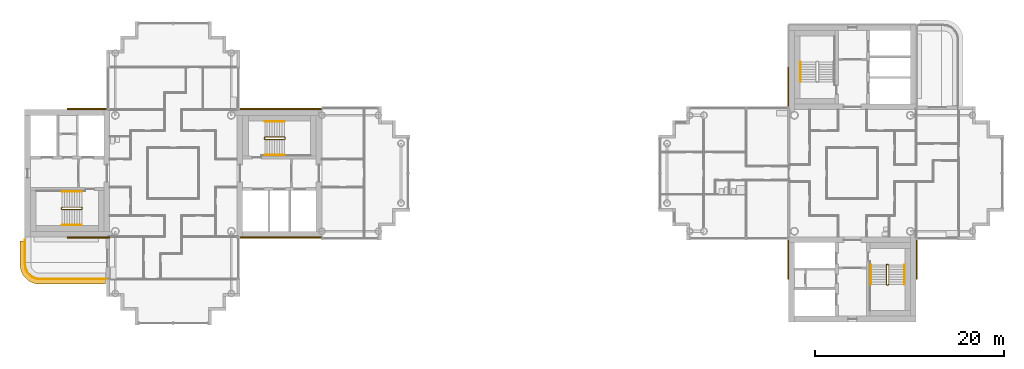
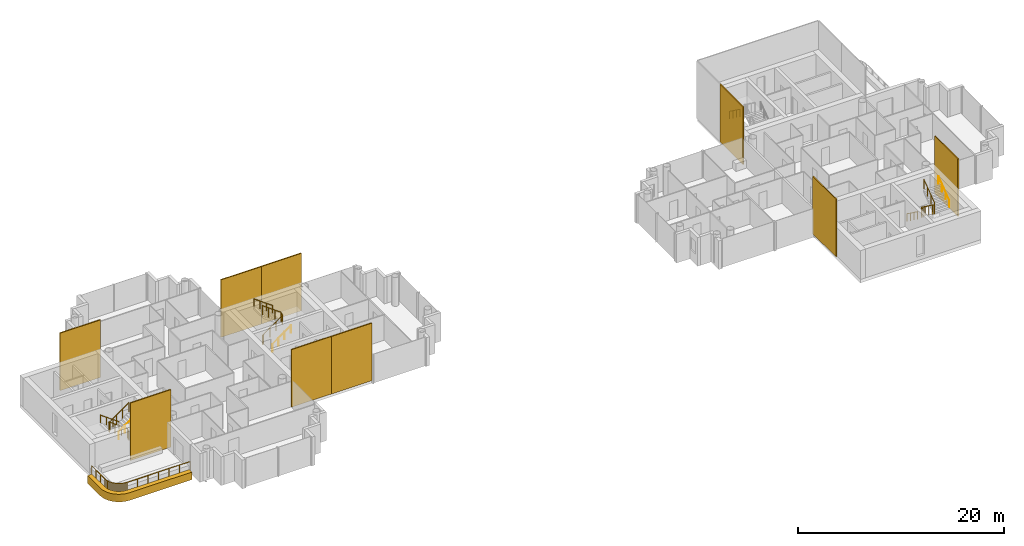
# One storey, part 16 of 18: 11 railings, 10 coverings.
"""IFC4 building model written with IfcOpenShell, lengths in metres."""

import ifcopenshell
import ifcopenshell.guid

model = None  # the IFC model being written
_history = None  # IfcOwnerHistory: only IFC2X3 demands one
_inside = {}  # id of a spatial element -> (the spatial element, [elements in it])
_under = {}  # id of a project, library or spatial element -> (it, [spatial elements below it])
_declared = {}  # id of a project -> (the project, [libraries it declares])
_typed = {}  # id of a type object -> (the type object, [elements of that type])
_made_of = {}  # id of a material, layer set ... -> (it, [elements and type objects made of it])


def new_model(schema):
    """Start an empty IFC model of exactly this schema.

    Asked for "IFC4X3", IfcOpenShell would pick the latest addendum, in which some entities
    have other attributes; the version numbers below select the first issue.
    IFC2X3 requires an IfcOwnerHistory on every rooted entity: one is made here for all.
    """
    global model, _history
    if schema == "IFC4X3":
        model = ifcopenshell.file(schema_version=(4, 3, 0, 0))
    else:
        model = ifcopenshell.file(schema=schema)
    _inside.clear()
    _under.clear()
    _declared.clear()
    _typed.clear()
    _made_of.clear()
    _history = None
    if model.schema == "IFC2X3":
        org = make("IfcOrganization", Name="unknown")
        user = make(
            "IfcPersonAndOrganization",
            ThePerson=make("IfcPerson", FamilyName="unknown"),
            TheOrganization=org,
        )
        app = make(
            "IfcApplication",
            ApplicationDeveloper=org,
            Version="unknown",
            ApplicationFullName="unknown",
            ApplicationIdentifier="unknown",
        )
        _history = make(
            "IfcOwnerHistory",
            OwningUser=user,
            OwningApplication=app,
            ChangeAction="ADDED",
            CreationDate=0,
        )
    return model


def make(cls, **values):
    """One entity of the class cls with the attributes given. An attribute that is None is left unset."""
    return model.create_entity(
        cls, **{name: value for name, value in values.items() if value is not None}
    )


def rooted(cls, **values):
    """An entity with a GlobalId (a new one), such as an element, a storey or a relation."""
    return make(cls, GlobalId=ifcopenshell.guid.new(), OwnerHistory=_history, **values)


def si_unit(unit_type, name, prefix=None):
    """IfcSIUnit, for example si_unit("LENGTHUNIT", "METRE", prefix="MILLI")."""
    return make("IfcSIUnit", UnitType=unit_type, Prefix=prefix, Name=name)


def assignment(units):
    """IfcUnitAssignment: the units of a project."""
    return None if units is None else make("IfcUnitAssignment", Units=units)


def point(xyz):
    """IfcCartesianPoint."""
    return None if xyz is None else make("IfcCartesianPoint", Coordinates=xyz)


def direction(xyz):
    """IfcDirection."""
    return None if xyz is None else make("IfcDirection", DirectionRatios=xyz)


def frame(location, z_axis=None, x_axis=None):
    """IfcAxis2Placement3D, a coordinate frame: its origin and axes. An axis left out is left unset."""
    return make(
        "IfcAxis2Placement3D",
        Location=point(location),
        Axis=direction(z_axis),
        RefDirection=direction(x_axis),
    )


def frame_2d(location, x_axis=None):
    """IfcAxis2Placement2D, a coordinate frame in the plane: its origin and x axis."""
    return make(
        "IfcAxis2Placement2D", Location=point(location), RefDirection=direction(x_axis)
    )


def origin():
    """The frame at (0, 0, 0) with its axes left unset."""
    return frame((0.0, 0.0, 0.0))


def origin_2d():
    """The frame at (0, 0) in the plane with its x axis left unset."""
    return frame_2d((0.0, 0.0))


def place(relative_to, where):
    """IfcLocalPlacement: puts the frame where relative to a parent placement (None: the world)."""
    return make(
        "IfcLocalPlacement", PlacementRelTo=relative_to, RelativePlacement=where
    )


def context(
    kind, dimensions, precision=None, world=None, true_north=None, identifier=None
):
    """IfcGeometricRepresentationContext, for example the 3D "Model" context."""
    return make(
        "IfcGeometricRepresentationContext",
        ContextIdentifier=identifier,
        ContextType=kind,
        CoordinateSpaceDimension=dimensions,
        Precision=precision,
        WorldCoordinateSystem=world,
        TrueNorth=true_north,
    )


def subcontext(parent, identifier, kind, view, scale=None):
    """IfcGeometricRepresentationSubContext, for example "Body" below "Model"."""
    return make(
        "IfcGeometricRepresentationSubContext",
        ContextIdentifier=identifier,
        ContextType=kind,
        ParentContext=parent,
        TargetScale=scale,
        TargetView=view,
    )


def project(units=None, contexts=None):
    """IfcProject with its units and contexts."""
    return rooted(
        "IfcProject",
        Name="project",
        RepresentationContexts=contexts,
        UnitsInContext=assignment(units),
    )


def spatial(cls, under=None, at=None, **own):
    """A site, building, storey or space (cls), placed at a placement, below another one or the project."""
    s = rooted(cls, ObjectPlacement=at, **own)
    if under is not None:
        _under.setdefault(under.id(), (under, []))[1].append(s)
    return s


def polyline(points):
    """IfcPolyline through the points."""
    return make("IfcPolyline", Points=[point(p) for p in points])


def profile(cls, at=None, kind="AREA", **sizes):
    """A parametric profile (cls). Its sizes go by their IFC names, for example OverallWidth=200.0."""
    return make(cls, ProfileType=kind, Position=at, **sizes)


def rectangle(**sizes):
    """IfcRectangleProfileDef."""
    return profile("IfcRectangleProfileDef", **sizes)


def circle(**sizes):
    """IfcCircleProfileDef."""
    return profile("IfcCircleProfileDef", **sizes)


def outline(outer, holes=None, kind="AREA"):
    """IfcArbitraryClosedProfileDef: a profile drawn as a closed curve; with holes, ...WithVoids."""
    if holes is None:
        return make("IfcArbitraryClosedProfileDef", ProfileType=kind, OuterCurve=outer)
    return make(
        "IfcArbitraryProfileDefWithVoids",
        ProfileType=kind,
        OuterCurve=outer,
        InnerCurves=holes,
    )


def extrude(swept, where, along, depth):
    """IfcExtrudedAreaSolid: the profile swept, set in the frame where, extruded along a direction by depth."""
    return make(
        "IfcExtrudedAreaSolid",
        SweptArea=swept,
        Position=where,
        ExtrudedDirection=direction(along),
        Depth=depth,
    )


def shape(context_of_items, identifier, shape_type, items):
    """IfcShapeRepresentation: the items that make up one representation, for example the "Body"."""
    return make(
        "IfcShapeRepresentation",
        ContextOfItems=context_of_items,
        RepresentationIdentifier=identifier,
        RepresentationType=shape_type,
        Items=items,
    )


def material(Name=None, Category=None):
    """IfcMaterial."""
    return make("IfcMaterial", Name=Name, Category=Category)


def layer(
    of_material, thickness, ventilated=None, Name=None, Category=None, Priority=None
):
    """IfcMaterialLayer: one layer of a wall or slab, of a material (None: an air gap)."""
    return make(
        "IfcMaterialLayer",
        Material=of_material,
        LayerThickness=thickness,
        IsVentilated=ventilated,
        Name=Name,
        Category=Category,
        Priority=Priority,
    )


def layer_set(layers, Name=None):
    """IfcMaterialLayerSet."""
    return make("IfcMaterialLayerSet", MaterialLayers=layers, LayerSetName=Name)


def made_of(thing, what):
    """Note that an element or type object is made of a material, layer set ...; save() writes the relation."""
    if what is not None:
        _made_of.setdefault(what.id(), (what, []))[1].append(thing)
    return thing


def type_object(cls, material=None, **own):
    """A type object (cls), such as IfcWallType, which elements share."""
    return made_of(rooted(cls, **own), material)


def element(
    cls,
    number,
    at=None,
    inside=None,
    cuts=None,
    type_object=None,
    material=None,
    context=None,
    identifier="Body",
    shape_type=None,
    held_by="IfcProductDefinitionShape",
    body=None,
    shapes=None,
    **own,
):
    """One element of the class cls, such as IfcWall. Its Tag is "e" and its number.

    at: its placement. inside: the storey or other place that contains it. cuts: it is an
    opening in that element (IfcRelVoidsElement). A single representation is given by context,
    identifier, shape_type and body (its items); several are given by shapes. held_by: the class
    of the entity that holds the representations. save() writes the other relations.
    """
    e = rooted(cls, Tag="e%d" % number, ObjectPlacement=at, **own)
    if body is not None:
        shapes = [shape(context, identifier, shape_type, body)]
    if shapes is not None:
        e.Representation = make(held_by, Representations=shapes)
    if inside is not None:
        _inside.setdefault(inside.id(), (inside, []))[1].append(e)
    if cuts is not None:
        rooted(
            "IfcRelVoidsElement", RelatingBuildingElement=cuts, RelatedOpeningElement=e
        )
    if type_object is not None:
        _typed.setdefault(type_object.id(), (type_object, []))[1].append(e)
    return made_of(e, material)


def aggregate(whole, parts):
    """IfcRelAggregates: a whole, such as a stair, and the parts it consists of."""
    return rooted("IfcRelAggregates", RelatingObject=whole, RelatedObjects=parts)


def save(model, path):
    """Write the relations noted so far, then the file.

    IfcRelAggregates (storeys below a building ...), IfcRelContainedInSpatialStructure (elements
    in a storey), IfcRelDefinesByType, IfcRelAssociatesMaterial and IfcRelDeclares: one each for
    every whole, place, type object, material and project.
    """
    for whole, parts in _under.values():
        aggregate(whole, parts)
    for where, things in _inside.values():
        rooted(
            "IfcRelContainedInSpatialStructure",
            RelatedElements=things,
            RelatingStructure=where,
        )
    for kind, things in _typed.values():
        rooted("IfcRelDefinesByType", RelatedObjects=things, RelatingType=kind)
    for what, things in _made_of.values():
        rooted("IfcRelAssociatesMaterial", RelatedObjects=things, RelatingMaterial=what)
    for by, libraries in _declared.values():
        rooted("IfcRelDeclares", RelatingContext=by, RelatedDefinitions=libraries)
    model.write(path)


model = new_model("IFC4")

# Units and contexts
model_context = context("Model", 3, precision=1e-05, world=origin(), true_north=direction((0.0, 1.0)))
body_context = subcontext(model_context, "Body", "Model", "MODEL_VIEW")
ifc_project = project(units=[si_unit("LENGTHUNIT", "METRE"), si_unit("AREAUNIT", "SQUARE_METRE"), si_unit("VOLUMEUNIT", "CUBIC_METRE"), si_unit("PLANEANGLEUNIT", "RADIAN"), si_unit("MASSUNIT", "GRAM", prefix="KILO")], contexts=[model_context])

# Site, building, storey
site_placement = place(None, origin())
site = spatial("IfcSite", under=ifc_project, at=site_placement, CompositionType="ELEMENT")
building_placement = place(site_placement, origin())
building = spatial("IfcBuilding", under=site, at=building_placement, Name="Ipe Terrace Towers", CompositionType="ELEMENT")
storey_placement = place(building_placement, frame((0.0, 0.0, 219.800048828125)))
storey = spatial("IfcBuildingStorey", under=building, at=storey_placement, Name="L61", CompositionType="ELEMENT", Elevation=219.800048828125)

# Railing
ifc_material_1 = material(Name="Stainless steel S316", Category="steel")
railing_type_1 = type_object("IfcRailingType", Name="GUARD 1100", PredefinedType="BALUSTRADE", material=ifc_material_1)
railing_1_placement = place(storey_placement, frame((-51.699951171875, -7.070068359375, -0.02001953125)))
element("IfcRailing", 1, at=railing_1_placement, inside=storey, type_object=railing_type_1, Name="guard", PredefinedType="BALUSTRADE", context=body_context, shape_type="SweptSolid", body=[
    extrude(circle(Radius=0.02392578125, at=origin_2d()), frame((0.0, 0.0, 1.076171875), z_axis=(0.0, -1.0, 0.0), x_axis=(1.0, 0.0, 0.0)), (0.0, 0.0, 1.0), 2.577880859375),
    extrude(circle(Radius=0.02392578125, at=origin_2d()), frame((0.0, -2.577880859375, 1.076171875), z_axis=(0.063270109204, -0.997996439513, 0.0), x_axis=(0.997996439513, 0.063270109204, 0.0)), (0.0, 0.0, 1.0), 0.20458984375),
    extrude(circle(Radius=0.02392578125, at=origin_2d()), frame((0.012939453125, -2.781982421875, 1.076171875), z_axis=(0.197272615832, -0.980348670139, 0.0), x_axis=(0.980348670139, 0.197272615832, 0.0)), (0.0, 0.0, 1.0), 0.202880859375),
    extrude(circle(Radius=0.02392578125, at=origin_2d()), frame((0.052978515625, -2.98095703125, 1.076171875), z_axis=(0.320562904618, -0.947227229435, 0.0), x_axis=(0.947227229435, 0.320562904618, 0.0)), (0.0, 0.0, 1.0), 0.20263671875),
    extrude(circle(Radius=0.02392578125, at=origin_2d()), frame((0.117919921875, -3.1728515625, 1.076171875), z_axis=(0.443364567466, -0.896341374877, 0.0), x_axis=(0.896341374877, 0.443364567466, 0.0)), (0.0, 0.0, 1.0), 0.203125),
    extrude(circle(Radius=0.02392578125, at=origin_2d()), frame((0.2080078125, -3.35498046875, 1.076171875), z_axis=(0.552753344103, -0.833344910936, 0.0), x_axis=(0.833344910936, 0.552753344103, 0.0)), (0.0, 0.0, 1.0), 0.20263671875),
    extrude(circle(Radius=0.02392578125, at=origin_2d()), frame((0.320068359375, -3.52392578125, 1.076171875), z_axis=(0.660464863827, -0.750856952854, 0.0), x_axis=(0.750856952854, 0.660464863827, 0.0)), (0.0, 0.0, 1.0), 0.20263671875),
    extrude(circle(Radius=0.02392578125, at=origin_2d()), frame((0.453857421875, -3.676025390625, 1.076171875), z_axis=(0.750856952854, -0.660464863827, 0.0), x_axis=(0.660464863827, 0.750856952854, 0.0)), (0.0, 0.0, 1.0), 0.20263671875),
    extrude(circle(Radius=0.02392578125, at=origin_2d()), frame((0.60595703125, -3.809814453125, 1.076171875), z_axis=(0.833344910936, -0.552753344103, 0.0), x_axis=(0.552753344103, 0.833344910936, 0.0)), (0.0, 0.0, 1.0), 0.20263671875),
    extrude(circle(Radius=0.02392578125, at=origin_2d()), frame((0.77490234375, -3.921875, 1.076171875), z_axis=(0.896341374877, -0.443364567466, 0.0), x_axis=(0.443364567466, 0.896341374877, 0.0)), (0.0, 0.0, 1.0), 0.203125),
    extrude(circle(Radius=0.02392578125, at=origin_2d()), frame((0.95703125, -4.011962890625, 1.076171875), z_axis=(0.947227229435, -0.320562904618, 0.0), x_axis=(0.320562904618, 0.947227229435, 0.0)), (0.0, 0.0, 1.0), 0.20263671875),
    extrude(circle(Radius=0.02392578125, at=origin_2d()), frame((1.14892578125, -4.076904296875, 1.076171875), z_axis=(0.980348670139, -0.197272615832, 0.0), x_axis=(0.197272615832, 0.980348670139, 0.0)), (0.0, 0.0, 1.0), 0.202880859375),
    extrude(circle(Radius=0.02392578125, at=origin_2d()), frame((1.347900390625, -4.116943359375, 1.076171875), z_axis=(0.997996439513, -0.063270109204, 0.0), x_axis=(0.063270109204, 0.997996439513, 0.0)), (0.0, 0.0, 1.0), 0.20458984375),
    extrude(circle(Radius=0.02392578125, at=origin_2d()), frame((1.552001953125, -4.1298828125, 1.076171875), z_axis=(1.0, 0.0, 0.0), x_axis=(0.0, 1.0, 0.0)), (0.0, 0.0, 1.0), 7.077880859375),
    extrude(circle(Radius=0.02099609375, at=origin_2d()), origin(), (0.0, 0.0, 1.0), 1.052001953125),
    extrude(circle(Radius=0.02099609375, at=origin_2d()), frame((0.0, -0.859375, 0.0)), (0.0, 0.0, 1.0), 1.052001953125),
    extrude(circle(Radius=0.02099609375, at=origin_2d()), frame((0.0, -1.718505859375, 0.0)), (0.0, 0.0, 1.0), 1.052001953125),
    extrude(circle(Radius=0.02099609375, at=origin_2d()), frame((0.0, -2.577880859375, 0.0)), (0.0, 0.0, 1.0), 1.052001953125),
    extrude(circle(Radius=0.02099609375, at=origin_2d()), frame((0.012939453125, -2.781982421875, 0.0)), (0.0, 0.0, 1.0), 1.052001953125),
    extrude(circle(Radius=0.02099609375, at=origin_2d()), frame((0.052978515625, -2.98095703125, 0.0)), (0.0, 0.0, 1.0), 1.052001953125),
    extrude(circle(Radius=0.02099609375, at=origin_2d()), frame((0.117919921875, -3.1728515625, 0.0)), (0.0, 0.0, 1.0), 1.052001953125),
    extrude(circle(Radius=0.02099609375, at=origin_2d()), frame((0.2080078125, -3.35498046875, 0.0)), (0.0, 0.0, 1.0), 1.052001953125),
    extrude(circle(Radius=0.02099609375, at=origin_2d()), frame((0.320068359375, -3.52392578125, 0.0)), (0.0, 0.0, 1.0), 1.052001953125),
    extrude(circle(Radius=0.02099609375, at=origin_2d()), frame((0.453857421875, -3.676025390625, 0.0)), (0.0, 0.0, 1.0), 1.052001953125),
    extrude(circle(Radius=0.02099609375, at=origin_2d()), frame((0.60595703125, -3.809814453125, 0.0)), (0.0, 0.0, 1.0), 1.052001953125),
    extrude(circle(Radius=0.02099609375, at=origin_2d()), frame((0.77490234375, -3.921875, 0.0)), (0.0, 0.0, 1.0), 1.052001953125),
    extrude(circle(Radius=0.02099609375, at=origin_2d()), frame((0.95703125, -4.011962890625, 0.0)), (0.0, 0.0, 1.0), 1.052001953125),
    extrude(circle(Radius=0.02099609375, at=origin_2d()), frame((1.14892578125, -4.076904296875, 0.0)), (0.0, 0.0, 1.0), 1.052001953125),
    extrude(circle(Radius=0.02099609375, at=origin_2d()), frame((1.347900390625, -4.116943359375, 0.0)), (0.0, 0.0, 1.0), 1.052001953125),
    extrude(circle(Radius=0.02099609375, at=origin_2d()), frame((1.552001953125, -4.1298828125, 0.0)), (0.0, 0.0, 1.0), 1.052001953125),
    extrude(circle(Radius=0.02099609375, at=origin_2d()), frame((2.731689453125, -4.1298828125, 0.0)), (0.0, 0.0, 1.0), 1.052001953125),
    extrude(circle(Radius=0.02099609375, at=origin_2d()), frame((3.911376953125, -4.1298828125, 0.0)), (0.0, 0.0, 1.0), 1.052001953125),
    extrude(circle(Radius=0.02099609375, at=origin_2d()), frame((5.0908203125, -4.1298828125, 0.0)), (0.0, 0.0, 1.0), 1.052001953125),
    extrude(circle(Radius=0.02099609375, at=origin_2d()), frame((6.2705078125, -4.1298828125, 0.0)), (0.0, 0.0, 1.0), 1.052001953125),
    extrude(circle(Radius=0.02099609375, at=origin_2d()), frame((7.4501953125, -4.1298828125, 0.0)), (0.0, 0.0, 1.0), 1.052001953125),
    extrude(circle(Radius=0.02099609375, at=origin_2d()), frame((8.6298828125, -4.1298828125, 0.0)), (0.0, 0.0, 1.0), 1.052001953125),
])

# Coverings
ifc_material_2 = material(Name="Concrete C50/60 precast, buff finish", Category="concrete")
ifc_layer_1 = layer(ifc_material_2, 0.1201171875)
ifc_layer_set_1 = layer_set([ifc_layer_1], Name="STONE CORE CLADDING 120")
covering_type_1 = type_object("IfcCoveringType", Name="STONE CORE CLADDING 120", PredefinedType="CLADDING", material=ifc_layer_set_1)
for number, where, z_axis, x_axis, name in (
    (2, (-45.0, -6.81005859375, 0.0), (0.0, 0.0, 1.0), (1.0, 0.0, 0.0), "stone core cladding"),
    (3, (-45.0, 6.81005859375, 0.0), (0.0, 0.0, 1.0), (-1.0, 0.0, 0.0), "stone core cladding"),
    (4, (-27.0, -6.81005859375, 0.0), (0.0, 0.0, 1.0), (1.0, 0.0, 0.0), "stone core cladding"),
):
    element("IfcCovering", number, at=place(storey_placement, frame(where, z_axis=z_axis, x_axis=x_axis)), inside=storey, type_object=covering_type_1, Name=name, PredefinedType="CLADDING", context=body_context, shape_type="SweptSolid", body=[
        extrude(rectangle(XDim=4.5, YDim=0.1201171875, at=origin_2d()), origin(), (0.0, 0.0, 1.0), 6.800048828125),
    ])
covering_1_placement = place(storey_placement, frame((-22.4990234375, -6.81005859375, 0.0), z_axis=(0.0, 0.0, 1.0), x_axis=(1.0, 0.0, 0.0)))
element("IfcCovering", 5, at=covering_1_placement, inside=storey, type_object=covering_type_1, Name="stone core cladding", PredefinedType="CLADDING", context=body_context, shape_type="SweptSolid", body=[
    extrude(rectangle(XDim=4.5009765625, YDim=0.1201171875, at=origin_2d()), origin(), (0.0, 0.0, 1.0), 6.800048828125),
])
covering_2_placement = place(storey_placement, frame((-27.0, 6.81005859375, 0.0), z_axis=(0.0, 0.0, 1.0), x_axis=(-1.0, 0.0, 0.0)))
element("IfcCovering", 6, at=covering_2_placement, inside=storey, type_object=covering_type_1, Name="stone core cladding", PredefinedType="CLADDING", context=body_context, shape_type="SweptSolid", body=[
    extrude(rectangle(XDim=4.5, YDim=0.1201171875, at=origin_2d()), origin(), (0.0, 0.0, 1.0), 6.800048828125),
])
covering_3_placement = place(storey_placement, frame((-22.4990234375, 6.81005859375, 0.0), z_axis=(0.0, 0.0, 1.0), x_axis=(-1.0, 0.0, 0.0)))
element("IfcCovering", 7, at=covering_3_placement, inside=storey, type_object=covering_type_1, Name="stone core cladding", PredefinedType="CLADDING", context=body_context, shape_type="SweptSolid", body=[
    extrude(rectangle(XDim=4.5009765625, YDim=0.1201171875, at=origin_2d()), origin(), (0.0, 0.0, 1.0), 6.800048828125),
])
for number, where, z_axis, x_axis, name in (
    (8, (29.18994140625, -9.0, 0.0), (0.0, 0.0, 1.0), (0.0, -1.0, 0.0), "stone core cladding"),
    (9, (29.18994140625, 9.0, 0.0), (0.0, 0.0, 1.0), (0.0, -1.0, 0.0), "stone core cladding"),
    (10, (42.81005859375, -9.0, 0.0), (0.0, 0.0, 1.0), (0.0, 1.0, 0.0), "stone core cladding"),
):
    element("IfcCovering", number, at=place(storey_placement, frame(where, z_axis=z_axis, x_axis=x_axis)), inside=storey, type_object=covering_type_1, Name=name, PredefinedType="CLADDING", context=body_context, shape_type="SweptSolid", body=[
        extrude(rectangle(XDim=4.5, YDim=0.1201171875, at=origin_2d()), origin(), (0.0, 0.0, 1.0), 6.800048828125),
    ])
ifc_material_3 = material(Name="Concrete C50/60 precast, buff finish", Category="concrete")
ifc_layer_2 = layer(ifc_material_3, 0.5)
ifc_layer_set_2 = layer_set([ifc_layer_2], Name="STONE EDGE BAND 500 x 900")
covering_type_2 = type_object("IfcCoveringType", Name="STONE EDGE BAND 500 x 900", PredefinedType="CLADDING", material=ifc_layer_set_2)
covering_4_placement = place(storey_placement, frame((0.0, 0.0, -0.719970703125)))
element("IfcCovering", 11, at=covering_4_placement, inside=storey, type_object=covering_type_2, Name="stone edge band", PredefinedType="CLADDING", context=body_context, shape_type="SweptSolid", body=[
    extrude(outline(polyline([(-50.14990234375, -11.75), (-43.199951171875, -11.75), (-43.199951171875, -11.25), (-50.14990234375, -11.25), (-50.35888671875, -11.236083984375), (-50.56396484375, -11.195068359375), (-50.761962890625, -11.1279296875), (-50.949951171875, -11.035888671875), (-51.1240234375, -10.9189453125), (-51.281005859375, -10.781005859375), (-51.4189453125, -10.6240234375), (-51.535888671875, -10.449951171875), (-51.6279296875, -10.261962890625), (-51.695068359375, -10.06396484375), (-51.736083984375, -9.85888671875), (-51.75, -9.64990234375), (-51.75, -7.199951171875), (-52.25, -7.199951171875), (-52.25, -9.64990234375), (-52.2490234375, -9.68310546875), (-52.235107421875, -9.89208984375), (-52.22705078125, -9.9560546875), (-52.18603515625, -10.162109375), (-52.1689453125, -10.22509765625), (-52.10205078125, -10.423095703125), (-52.076904296875, -10.48291015625), (-51.98388671875, -10.6708984375), (-51.950927734375, -10.72802734375), (-51.8349609375, -10.902099609375), (-51.794921875, -10.9541015625), (-51.656982421875, -11.111083984375), (-51.611083984375, -11.156982421875), (-51.4541015625, -11.294921875), (-51.402099609375, -11.3349609375), (-51.22802734375, -11.450927734375), (-51.1708984375, -11.48388671875), (-50.98291015625, -11.576904296875), (-50.923095703125, -11.60205078125), (-50.72509765625, -11.6689453125), (-50.662109375, -11.68603515625), (-50.4560546875, -11.72705078125), (-50.39208984375, -11.735107421875), (-50.18310546875, -11.7490234375), (-50.14990234375, -11.75)])), origin(), (0.0, 0.0, 1.0), 0.89990234375),
])

# Railings
ifc_material_4 = material(Name="Steel S355", Category="steel")
railing_type_2 = type_object("IfcRailingType", Name="Stair guard 1100", PredefinedType="GUARDRAIL", material=ifc_material_4)
railing_2_placement = place(storey_placement, frame((-26.35009765625, 3.800048828125, 0.0)))
element("IfcRailing", 12, at=railing_2_placement, inside=storey, type_object=railing_type_2, Name="L61 T1-ST1 stair guard 1", PredefinedType="GUARDRAIL", context=body_context, shape_type="SweptSolid", body=[
    extrude(circle(Radius=0.02392578125, at=origin_2d()), frame((0.0, 0.0, 1.076171875), z_axis=(0.0, -1.0, 0.0), x_axis=(1.0, 0.0, 0.0)), (0.0, 0.0, 1.0), 0.150146484375),
    extrude(circle(Radius=0.02392578125, at=origin_2d()), frame((0.0, -0.150146484375, 1.076171875), z_axis=(0.248385422981, -0.247173786771, 0.936594790069), x_axis=(0.705375805398, 0.708833529934, 0.0)), (0.0, 0.0, 1.0), 0.201416015625),
    extrude(circle(Radius=0.02392578125, at=origin_2d()), frame((0.050048828125, -0.199951171875, 1.2646484375), z_axis=(0.809023421508, 0.0, 0.587776406001), x_axis=(0.0, 1.0, 0.0)), (0.0, 0.0, 1.0), 2.571044921875),
    extrude(circle(Radius=0.02392578125, at=origin_2d()), frame((2.130126953125, -0.199951171875, 2.77587890625), z_axis=(0.708833529934, 0.705375805398, 0.0), x_axis=(-0.705375805398, 0.708833529934, 0.0)), (0.0, 0.0, 1.0), 0.070556640625),
    extrude(circle(Radius=0.02392578125, at=origin_2d()), frame((2.18017578125, -0.150146484375, 2.77587890625), z_axis=(0.0, 1.0, 0.0), x_axis=(-1.0, 0.0, 0.0)), (0.0, 0.0, 1.0), 0.150146484375),
    extrude(circle(Radius=0.02392578125, at=origin_2d()), frame((2.18017578125, 0.0, 2.77587890625), z_axis=(-0.248029566107, 0.248029566107, 0.936462849596), x_axis=(-0.707106781187, -0.707106781187, 0.0)), (0.0, 0.0, 1.0), 0.201904296875),
    extrude(circle(Radius=0.02392578125, at=origin_2d()), frame((2.130126953125, 0.050048828125, 2.96484375), z_axis=(-0.809068575486, 0.0, 0.587714250432), x_axis=(0.0, -1.0, 0.0)), (0.0, 0.0, 1.0), 2.571044921875),
    extrude(circle(Radius=0.02099609375, at=origin_2d()), origin(), (0.0, 0.0, 1.0), 1.052001953125),
    extrude(circle(Radius=0.02099609375, at=origin_2d()), frame((0.0, -0.150146484375, 0.0)), (0.0, 0.0, 1.0), 1.052001953125),
    extrude(circle(Radius=0.02099609375, at=origin_2d()), frame((0.050048828125, -0.199951171875, 0.188720703125)), (0.0, 0.0, 1.0), 1.052001953125),
    extrude(circle(Radius=0.02099609375, at=origin_2d()), frame((0.743408203125, -0.199951171875, 0.6923828125)), (0.0, 0.0, 1.0), 1.052001953125),
    extrude(circle(Radius=0.02099609375, at=origin_2d()), frame((1.436767578125, -0.199951171875, 1.1962890625)), (0.0, 0.0, 1.0), 1.052001953125),
    extrude(circle(Radius=0.02099609375, at=origin_2d()), frame((2.130126953125, -0.199951171875, 1.699951171875)), (0.0, 0.0, 1.0), 1.052001953125),
    extrude(circle(Radius=0.02099609375, at=origin_2d()), frame((2.18017578125, -0.150146484375, 1.699951171875)), (0.0, 0.0, 1.0), 1.052001953125),
    extrude(circle(Radius=0.02099609375, at=origin_2d()), frame((2.18017578125, 0.0, 1.699951171875)), (0.0, 0.0, 1.0), 1.052001953125),
    extrude(circle(Radius=0.02099609375, at=origin_2d()), frame((2.130126953125, 0.050048828125, 1.888916015625)), (0.0, 0.0, 1.0), 1.052001953125),
    extrude(circle(Radius=0.02099609375, at=origin_2d()), frame((1.436767578125, 0.050048828125, 2.392578125)), (0.0, 0.0, 1.0), 1.052001953125),
    extrude(circle(Radius=0.02099609375, at=origin_2d()), frame((0.743408203125, 0.050048828125, 2.896240234375)), (0.0, 0.0, 1.0), 1.052001953125),
    extrude(circle(Radius=0.02099609375, at=origin_2d()), frame((0.050048828125, 0.050048828125, 3.39990234375)), (0.0, 0.0, 1.0), 1.052001953125),
])
railing_3_placement = place(storey_placement, frame((-45.64990234375, -3.800048828125, 0.0)))
element("IfcRailing", 13, at=railing_3_placement, inside=storey, type_object=railing_type_2, Name="L61 T1-ST2 stair guard 1", PredefinedType="GUARDRAIL", context=body_context, shape_type="SweptSolid", body=[
    extrude(circle(Radius=0.02392578125, at=origin_2d()), frame((0.0, 0.0, 1.076171875), z_axis=(0.0, 1.0, 0.0), x_axis=(-1.0, 0.0, 0.0)), (0.0, 0.0, 1.0), 0.150146484375),
    extrude(circle(Radius=0.02392578125, at=origin_2d()), frame((0.0, 0.150146484375, 1.076171875), z_axis=(-0.248385422981, 0.247173786771, 0.936594790069), x_axis=(-0.705375805398, -0.708833529934, 0.0)), (0.0, 0.0, 1.0), 0.201416015625),
    extrude(circle(Radius=0.02392578125, at=origin_2d()), frame((-0.050048828125, 0.199951171875, 1.2646484375), z_axis=(-0.809023421508, 0.0, 0.587776406001), x_axis=(0.0, -1.0, 0.0)), (0.0, 0.0, 1.0), 2.571044921875),
    extrude(circle(Radius=0.02392578125, at=origin_2d()), frame((-2.130126953125, 0.199951171875, 2.77587890625), z_axis=(-0.708833529934, -0.705375805398, 0.0), x_axis=(0.705375805398, -0.708833529934, 0.0)), (0.0, 0.0, 1.0), 0.070556640625),
    extrude(circle(Radius=0.02392578125, at=origin_2d()), frame((-2.18017578125, 0.150146484375, 2.77587890625), z_axis=(0.0, -1.0, 0.0), x_axis=(1.0, 0.0, 0.0)), (0.0, 0.0, 1.0), 0.150146484375),
    extrude(circle(Radius=0.02392578125, at=origin_2d()), frame((-2.18017578125, 0.0, 2.77587890625), z_axis=(0.248029566107, -0.248029566107, 0.936462849596), x_axis=(0.707106781187, 0.707106781187, 0.0)), (0.0, 0.0, 1.0), 0.201904296875),
    extrude(circle(Radius=0.02392578125, at=origin_2d()), frame((-2.130126953125, -0.050048828125, 2.96484375), z_axis=(0.809068575486, 0.0, 0.587714250432), x_axis=(0.0, 1.0, 0.0)), (0.0, 0.0, 1.0), 2.571044921875),
    extrude(circle(Radius=0.02099609375, at=origin_2d()), origin(), (0.0, 0.0, 1.0), 1.052001953125),
    extrude(circle(Radius=0.02099609375, at=origin_2d()), frame((0.0, 0.150146484375, 0.0)), (0.0, 0.0, 1.0), 1.052001953125),
    extrude(circle(Radius=0.02099609375, at=origin_2d()), frame((-0.050048828125, 0.199951171875, 0.188720703125)), (0.0, 0.0, 1.0), 1.052001953125),
    extrude(circle(Radius=0.02099609375, at=origin_2d()), frame((-0.743408203125, 0.199951171875, 0.6923828125)), (0.0, 0.0, 1.0), 1.052001953125),
    extrude(circle(Radius=0.02099609375, at=origin_2d()), frame((-1.436767578125, 0.199951171875, 1.1962890625)), (0.0, 0.0, 1.0), 1.052001953125),
    extrude(circle(Radius=0.02099609375, at=origin_2d()), frame((-2.130126953125, 0.199951171875, 1.699951171875)), (0.0, 0.0, 1.0), 1.052001953125),
    extrude(circle(Radius=0.02099609375, at=origin_2d()), frame((-2.18017578125, 0.150146484375, 1.699951171875)), (0.0, 0.0, 1.0), 1.052001953125),
    extrude(circle(Radius=0.02099609375, at=origin_2d()), frame((-2.18017578125, 0.0, 1.699951171875)), (0.0, 0.0, 1.0), 1.052001953125),
    extrude(circle(Radius=0.02099609375, at=origin_2d()), frame((-2.130126953125, -0.050048828125, 1.888916015625)), (0.0, 0.0, 1.0), 1.052001953125),
    extrude(circle(Radius=0.02099609375, at=origin_2d()), frame((-1.436767578125, -0.050048828125, 2.392578125)), (0.0, 0.0, 1.0), 1.052001953125),
    extrude(circle(Radius=0.02099609375, at=origin_2d()), frame((-0.743408203125, -0.050048828125, 2.896240234375)), (0.0, 0.0, 1.0), 1.052001953125),
    extrude(circle(Radius=0.02099609375, at=origin_2d()), frame((-0.050048828125, -0.050048828125, 3.39990234375)), (0.0, 0.0, 1.0), 1.052001953125),
])
railing_4_placement = place(storey_placement, frame((39.800048828125, -9.64990234375, 0.0)))
element("IfcRailing", 14, at=railing_4_placement, inside=storey, type_object=railing_type_2, Name="L61 T2-ST2 stair guard 1", PredefinedType="GUARDRAIL", context=body_context, shape_type="SweptSolid", body=[
    extrude(circle(Radius=0.02392578125, at=origin_2d()), frame((0.0, 0.0, 1.076171875), z_axis=(-1.0, 0.0, 0.0), x_axis=(0.0, -1.0, 0.0)), (0.0, 0.0, 1.0), 0.150146484375),
    extrude(circle(Radius=0.02392578125, at=origin_2d()), frame((-0.150146484375, 0.0, 1.076171875), z_axis=(-0.247173786771, -0.248385422981, 0.936594790069), x_axis=(0.708833529934, -0.705375805398, 0.0)), (0.0, 0.0, 1.0), 0.201416015625),
    extrude(circle(Radius=0.02392578125, at=origin_2d()), frame((-0.199951171875, -0.050048828125, 1.2646484375), z_axis=(0.0, -0.809023421508, 0.587776406001), x_axis=(1.0, 0.0, 0.0)), (0.0, 0.0, 1.0), 2.571044921875),
    extrude(circle(Radius=0.02392578125, at=origin_2d()), frame((-0.199951171875, -2.130126953125, 2.77587890625), z_axis=(0.705375805398, -0.708833529934, 0.0), x_axis=(0.708833529934, 0.705375805398, 0.0)), (0.0, 0.0, 1.0), 0.070556640625),
    extrude(circle(Radius=0.02392578125, at=origin_2d()), frame((-0.150146484375, -2.18017578125, 2.77587890625), z_axis=(1.0, 0.0, 0.0), x_axis=(0.0, 1.0, 0.0)), (0.0, 0.0, 1.0), 0.150146484375),
    extrude(circle(Radius=0.02392578125, at=origin_2d()), frame((0.0, -2.18017578125, 2.77587890625), z_axis=(0.248029566107, 0.248029566107, 0.936462849596), x_axis=(-0.707106781187, 0.707106781187, 0.0)), (0.0, 0.0, 1.0), 0.201904296875),
    extrude(circle(Radius=0.02392578125, at=origin_2d()), frame((0.050048828125, -2.130126953125, 2.96484375), z_axis=(0.0, 0.809068575486, 0.587714250432), x_axis=(-1.0, 0.0, 0.0)), (0.0, 0.0, 1.0), 2.571044921875),
    extrude(circle(Radius=0.02099609375, at=origin_2d()), origin(), (0.0, 0.0, 1.0), 1.052001953125),
    extrude(circle(Radius=0.02099609375, at=origin_2d()), frame((-0.150146484375, 0.0, 0.0)), (0.0, 0.0, 1.0), 1.052001953125),
    extrude(circle(Radius=0.02099609375, at=origin_2d()), frame((-0.199951171875, -0.050048828125, 0.188720703125)), (0.0, 0.0, 1.0), 1.052001953125),
    extrude(circle(Radius=0.02099609375, at=origin_2d()), frame((-0.199951171875, -0.743408203125, 0.6923828125)), (0.0, 0.0, 1.0), 1.052001953125),
    extrude(circle(Radius=0.02099609375, at=origin_2d()), frame((-0.199951171875, -1.436767578125, 1.1962890625)), (0.0, 0.0, 1.0), 1.052001953125),
    extrude(circle(Radius=0.02099609375, at=origin_2d()), frame((-0.199951171875, -2.130126953125, 1.699951171875)), (0.0, 0.0, 1.0), 1.052001953125),
    extrude(circle(Radius=0.02099609375, at=origin_2d()), frame((-0.150146484375, -2.18017578125, 1.699951171875)), (0.0, 0.0, 1.0), 1.052001953125),
    extrude(circle(Radius=0.02099609375, at=origin_2d()), frame((0.0, -2.18017578125, 1.699951171875)), (0.0, 0.0, 1.0), 1.052001953125),
    extrude(circle(Radius=0.02099609375, at=origin_2d()), frame((0.050048828125, -2.130126953125, 1.888916015625)), (0.0, 0.0, 1.0), 1.052001953125),
    extrude(circle(Radius=0.02099609375, at=origin_2d()), frame((0.050048828125, -1.436767578125, 2.392578125)), (0.0, 0.0, 1.0), 1.052001953125),
    extrude(circle(Radius=0.02099609375, at=origin_2d()), frame((0.050048828125, -0.743408203125, 2.896240234375)), (0.0, 0.0, 1.0), 1.052001953125),
    extrude(circle(Radius=0.02099609375, at=origin_2d()), frame((0.050048828125, -0.050048828125, 3.39990234375)), (0.0, 0.0, 1.0), 1.052001953125),
])
ifc_material_5 = material(Name="Stainless steel grade 304", Category="steel")
railing_type_3 = type_object("IfcRailingType", Name="Stair handrail 900", PredefinedType="HANDRAIL", material=ifc_material_5)
railing_5_placement = place(storey_placement, frame((-26.300048828125, 1.949951171875, 0.188720703125)))
element("IfcRailing", 15, at=railing_5_placement, inside=storey, type_object=railing_type_3, Name="L61 T1-ST1 stair handrail 1", PredefinedType="HANDRAIL", context=body_context, shape_type="SweptSolid", body=[
    extrude(circle(Radius=0.02392578125, at=origin_2d()), frame((0.0, 0.0, 0.8759765625), z_axis=(0.809023421508, 0.0, 0.587776406001), x_axis=(0.0, 1.0, 0.0)), (0.0, 0.0, 1.0), 2.571044921875),
    extrude(circle(Radius=0.02099609375, at=origin_2d()), origin(), (0.0, 0.0, 1.0), 0.851806640625),
    extrude(circle(Radius=0.02099609375, at=origin_2d()), frame((0.693359375, 0.0, 0.503662109375)), (0.0, 0.0, 1.0), 0.851806640625),
    extrude(circle(Radius=0.02099609375, at=origin_2d()), frame((1.38671875, 0.0, 1.007568359375)), (0.0, 0.0, 1.0), 0.851806640625),
    extrude(circle(Radius=0.02099609375, at=origin_2d()), frame((2.080078125, 0.0, 1.51123046875)), (0.0, 0.0, 1.0), 0.851806640625),
])
railing_6_placement = place(storey_placement, frame((-24.219970703125, 5.5, 1.888916015625)))
element("IfcRailing", 16, at=railing_6_placement, inside=storey, type_object=railing_type_3, Name="L61 T1-ST1 stair handrail 2", PredefinedType="HANDRAIL", context=body_context, shape_type="SweptSolid", body=[
    extrude(circle(Radius=0.02392578125, at=origin_2d()), frame((0.0, 0.0, 0.8759765625), z_axis=(-0.809068575486, 0.0, 0.587714250432), x_axis=(0.0, -1.0, 0.0)), (0.0, 0.0, 1.0), 2.571044921875),
    extrude(circle(Radius=0.02099609375, at=origin_2d()), origin(), (0.0, 0.0, 1.0), 0.851806640625),
    extrude(circle(Radius=0.02099609375, at=origin_2d()), frame((-0.693359375, 0.0, 0.503662109375)), (0.0, 0.0, 1.0), 0.851806640625),
    extrude(circle(Radius=0.02099609375, at=origin_2d()), frame((-1.38671875, 0.0, 1.00732421875)), (0.0, 0.0, 1.0), 0.851806640625),
    extrude(circle(Radius=0.02099609375, at=origin_2d()), frame((-2.080078125, 0.0, 1.510986328125)), (0.0, 0.0, 1.0), 0.851806640625),
])
railing_7_placement = place(storey_placement, frame((-45.699951171875, -1.949951171875, 0.188720703125)))
element("IfcRailing", 17, at=railing_7_placement, inside=storey, type_object=railing_type_3, Name="L61 T1-ST2 stair handrail 1", PredefinedType="HANDRAIL", context=body_context, shape_type="SweptSolid", body=[
    extrude(circle(Radius=0.02392578125, at=origin_2d()), frame((0.0, 0.0, 0.8759765625), z_axis=(-0.809023421508, 0.0, 0.587776406001), x_axis=(0.0, -1.0, 0.0)), (0.0, 0.0, 1.0), 2.571044921875),
    extrude(circle(Radius=0.02099609375, at=origin_2d()), origin(), (0.0, 0.0, 1.0), 0.851806640625),
    extrude(circle(Radius=0.02099609375, at=origin_2d()), frame((-0.693359375, 0.0, 0.503662109375)), (0.0, 0.0, 1.0), 0.851806640625),
    extrude(circle(Radius=0.02099609375, at=origin_2d()), frame((-1.38671875, 0.0, 1.007568359375)), (0.0, 0.0, 1.0), 0.851806640625),
    extrude(circle(Radius=0.02099609375, at=origin_2d()), frame((-2.080078125, 0.0, 1.51123046875)), (0.0, 0.0, 1.0), 0.851806640625),
])
railing_8_placement = place(storey_placement, frame((-47.780029296875, -5.5, 1.888916015625)))
element("IfcRailing", 18, at=railing_8_placement, inside=storey, type_object=railing_type_3, Name="L61 T1-ST2 stair handrail 2", PredefinedType="HANDRAIL", context=body_context, shape_type="SweptSolid", body=[
    extrude(circle(Radius=0.02392578125, at=origin_2d()), frame((0.0, 0.0, 0.8759765625), z_axis=(0.809068575486, 0.0, 0.587714250432), x_axis=(0.0, 1.0, 0.0)), (0.0, 0.0, 1.0), 2.571044921875),
    extrude(circle(Radius=0.02099609375, at=origin_2d()), origin(), (0.0, 0.0, 1.0), 0.851806640625),
    extrude(circle(Radius=0.02099609375, at=origin_2d()), frame((0.693359375, 0.0, 0.503662109375)), (0.0, 0.0, 1.0), 0.851806640625),
    extrude(circle(Radius=0.02099609375, at=origin_2d()), frame((1.38671875, 0.0, 1.00732421875)), (0.0, 0.0, 1.0), 0.851806640625),
    extrude(circle(Radius=0.02099609375, at=origin_2d()), frame((2.080078125, 0.0, 1.510986328125)), (0.0, 0.0, 1.0), 0.851806640625),
])
railing_9_placement = place(storey_placement, frame((30.5, 11.780029296875, 1.888916015625)))
element("IfcRailing", 19, at=railing_9_placement, inside=storey, type_object=railing_type_3, Name="L61 T2-ST1 stair handrail 2", PredefinedType="HANDRAIL", context=body_context, shape_type="SweptSolid", body=[
    extrude(circle(Radius=0.02392578125, at=origin_2d()), frame((0.0, 0.0, 0.8759765625), z_axis=(0.0, -0.809068575486, 0.587714250432), x_axis=(1.0, 0.0, 0.0)), (0.0, 0.0, 1.0), 2.571044921875),
    extrude(circle(Radius=0.02099609375, at=origin_2d()), origin(), (0.0, 0.0, 1.0), 0.851806640625),
    extrude(circle(Radius=0.02099609375, at=origin_2d()), frame((0.0, -0.693359375, 0.503662109375)), (0.0, 0.0, 1.0), 0.851806640625),
    extrude(circle(Radius=0.02099609375, at=origin_2d()), frame((0.0, -1.38671875, 1.00732421875)), (0.0, 0.0, 1.0), 0.851806640625),
    extrude(circle(Radius=0.02099609375, at=origin_2d()), frame((0.0, -2.080078125, 1.510986328125)), (0.0, 0.0, 1.0), 0.851806640625),
])
railing_10_placement = place(storey_placement, frame((37.949951171875, -9.699951171875, 0.188720703125)))
element("IfcRailing", 20, at=railing_10_placement, inside=storey, type_object=railing_type_3, Name="L61 T2-ST2 stair handrail 1", PredefinedType="HANDRAIL", context=body_context, shape_type="SweptSolid", body=[
    extrude(circle(Radius=0.02392578125, at=origin_2d()), frame((0.0, 0.0, 0.8759765625), z_axis=(0.0, -0.809023421508, 0.587776406001), x_axis=(1.0, 0.0, 0.0)), (0.0, 0.0, 1.0), 2.571044921875),
    extrude(circle(Radius=0.02099609375, at=origin_2d()), origin(), (0.0, 0.0, 1.0), 0.851806640625),
    extrude(circle(Radius=0.02099609375, at=origin_2d()), frame((0.0, -0.693359375, 0.503662109375)), (0.0, 0.0, 1.0), 0.851806640625),
    extrude(circle(Radius=0.02099609375, at=origin_2d()), frame((0.0, -1.38671875, 1.007568359375)), (0.0, 0.0, 1.0), 0.851806640625),
    extrude(circle(Radius=0.02099609375, at=origin_2d()), frame((0.0, -2.080078125, 1.51123046875)), (0.0, 0.0, 1.0), 0.851806640625),
])
railing_11_placement = place(storey_placement, frame((41.5, -11.780029296875, 1.888916015625)))
element("IfcRailing", 21, at=railing_11_placement, inside=storey, type_object=railing_type_3, Name="L61 T2-ST2 stair handrail 2", PredefinedType="HANDRAIL", context=body_context, shape_type="SweptSolid", body=[
    extrude(circle(Radius=0.02392578125, at=origin_2d()), frame((0.0, 0.0, 0.8759765625), z_axis=(0.0, 0.809068575486, 0.587714250432), x_axis=(-1.0, 0.0, 0.0)), (0.0, 0.0, 1.0), 2.571044921875),
    extrude(circle(Radius=0.02099609375, at=origin_2d()), origin(), (0.0, 0.0, 1.0), 0.851806640625),
    extrude(circle(Radius=0.02099609375, at=origin_2d()), frame((0.0, 0.693359375, 0.503662109375)), (0.0, 0.0, 1.0), 0.851806640625),
    extrude(circle(Radius=0.02099609375, at=origin_2d()), frame((0.0, 1.38671875, 1.00732421875)), (0.0, 0.0, 1.0), 0.851806640625),
    extrude(circle(Radius=0.02099609375, at=origin_2d()), frame((0.0, 2.080078125, 1.510986328125)), (0.0, 0.0, 1.0), 0.851806640625),
])

save(model, "model.ifc")
